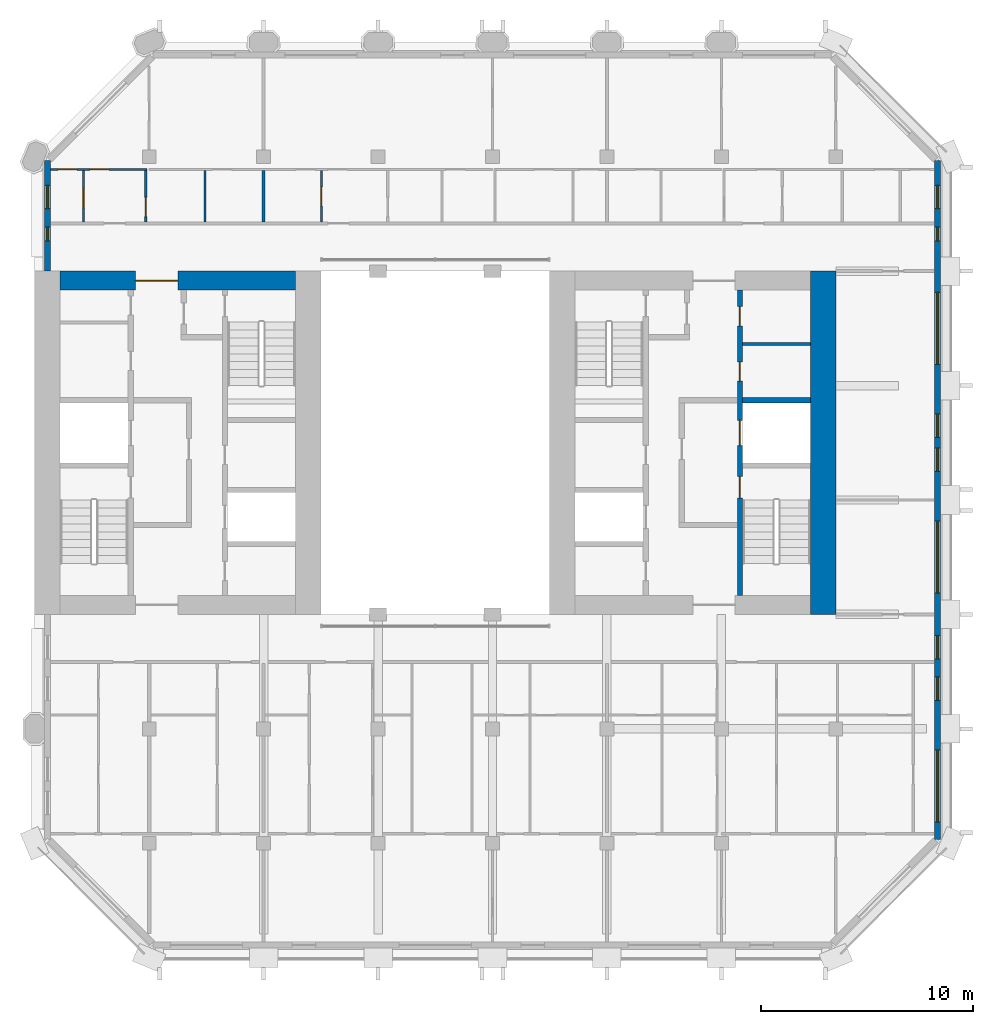
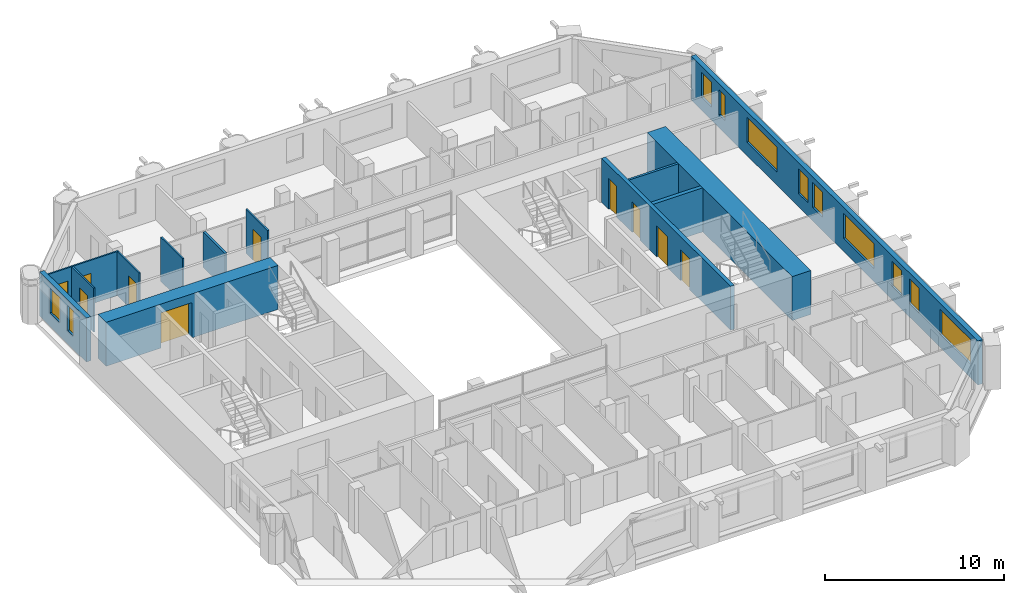
# One storey, part 9 of 14: 13 walls, 11 windows, 10 doors, 21 openings.
"""IFC4 building model written with IfcOpenShell, lengths in metres."""

from ifc_helpers import new_model, si_unit, direction, frame, frame_2d, origin, place, context, subcontext, project, spatial, rectangle, extrude, material, layer, layer_set, type_object, element, fill, save


model = new_model("IFC4")

# Units and contexts
model_context = context("Model", 3, precision=1e-05, world=origin(), true_north=direction((0.0, 1.0)))
body_context = subcontext(model_context, "Body", "Model", "MODEL_VIEW")
ifc_project = project(units=[si_unit("LENGTHUNIT", "METRE"), si_unit("AREAUNIT", "SQUARE_METRE"), si_unit("VOLUMEUNIT", "CUBIC_METRE"), si_unit("PLANEANGLEUNIT", "RADIAN"), si_unit("MASSUNIT", "GRAM", prefix="KILO")], contexts=[model_context])

# Site, building, storey
site_placement = place(None, origin())
site = spatial("IfcSite", under=ifc_project, at=site_placement, CompositionType="ELEMENT")
building_placement = place(site_placement, origin())
building = spatial("IfcBuilding", under=site, at=building_placement, Name="Tabaq Tower and Sports Hall", CompositionType="ELEMENT")
storey_placement = place(building_placement, frame((0.0, 0.0, 285.10009765625)))
storey = spatial("IfcBuildingStorey", under=building, at=storey_placement, Name="L70", CompositionType="ELEMENT", Elevation=285.10009765625)

# Walls
ifc_material_1 = material(Name="Blockwork", Category="masonry")
ifc_layer_1 = layer(ifc_material_1, 0.14990234375)
ifc_layer_set_1 = layer_set([ifc_layer_1], Name="Core room partition 150 Blockwork")
wall_type_1 = type_object("IfcWallType", Name="Core room partition 150 Blockwork", PredefinedType="PARTITIONING", material=ifc_layer_set_1)
wall_1_placement = place(storey_placement, frame((38.800048828125, 28.962890625, 0.0), z_axis=(0.0, 0.0, 1.0), x_axis=(1.0, 0.0, 0.0)))
element("IfcWall", 1, at=wall_1_placement, inside=storey, type_object=wall_type_1, Name="Core room partition E L70", PredefinedType="PARTITIONING", context=body_context, shape_type="SweptSolid", body=[
    extrude(rectangle(XDim=3.199951171875, YDim=0.14990234375, at=frame_2d((1.60009765625, 0.0))), origin(), (0.0, 0.0, 1.0), 3.0),
])
ifc_material_2 = material(Name="Concrete C40/50", Category="concrete")
ifc_layer_2 = layer(ifc_material_2, 1.199951171875)
ifc_layer_set_2 = layer_set([ifc_layer_2], Name="Core wall 1200 Concrete C40/50")
wall_type_2 = type_object("IfcWallType", Name="Core wall 1200 Concrete C40/50", PredefinedType="SOLIDWALL", material=ifc_layer_set_2)
wall_2_placement = place(storey_placement, frame((42.60009765625, 32.39990234375, 0.0), z_axis=(0.0, 0.0, 1.0), x_axis=(0.0, -1.0, 0.0)))
element("IfcWall", 2, at=wall_2_placement, inside=storey, type_object=wall_type_2, Name="Core wall E L70", PredefinedType="SOLIDWALL", context=body_context, shape_type="SweptSolid", body=[
    extrude(rectangle(XDim=16.199951171875, YDim=1.199951171875, at=frame_2d((8.10009765625, 0.0))), origin(), (0.0, 0.0, 1.0), 3.0),
])

# Wall, opening, door
ifc_material_3 = material(Name="Concrete C40/50", Category="concrete")
ifc_layer_3 = layer(ifc_material_3, 0.89990234375)
ifc_layer_set_3 = layer_set([ifc_layer_3], Name="Core wall 900 Concrete C40/50")
wall_type_3 = type_object("IfcWallType", Name="Core wall 900 Concrete C40/50", PredefinedType="SOLIDWALL", material=ifc_layer_set_3)
wall_3_placement = place(storey_placement, frame((6.60009765625, 31.949951171875, 0.0), z_axis=(0.0, 0.0, 1.0), x_axis=(1.0, 0.0, 0.0)))
wall_3 = element("IfcWall", 3, at=wall_3_placement, inside=storey, type_object=wall_type_3, Name="Core wall W L70", PredefinedType="SOLIDWALL", context=body_context, shape_type="SweptSolid", body=[
    extrude(rectangle(XDim=11.099853515625, YDim=0.89990234375, at=frame_2d((5.5498046875, 0.0))), origin(), (0.0, 0.0, 1.0), 3.0),
])
opening_1_placement = place(wall_3_placement, frame((3.550048828125, 0.0, 0.0)))
opening_1 = element("IfcOpeningElement", 4, at=opening_1_placement, cuts=wall_3, Name="Opening PD-WL70-02", PredefinedType="OPENING", context=body_context, shape_type="SweptSolid", body=[
    extrude(rectangle(XDim=2.0, YDim=2.39990234375, at=frame_2d((1.0, 1.199951171875))), frame((0.0, 0.449951171875, 0.0), z_axis=(0.0, -1.0, 0.0), x_axis=(1.0, 0.0, 0.0)), (0.0, 0.0, 1.0), 0.89990234375),
])
ifc_material_4 = material(Name="Steel fire door", Category="steel")
door_type_1 = type_object("IfcDoorType", Name="Core entrance door 2000", OperationType="DOUBLE_DOOR_SINGLE_SWING", PredefinedType="DOOR", material=ifc_material_4)
door_1_placement = place(opening_1_placement, origin())
door_1 = element("IfcDoor", 5, at=door_1_placement, inside=storey, type_object=door_type_1, Name="Core entrance north W L70", OperationType="DOUBLE_DOOR_SINGLE_SWING", OverallHeight=2.39990234375, OverallWidth=2.0, PredefinedType="DOOR", context=body_context, shape_type="SweptSolid", body=[
    extrude(rectangle(XDim=2.0, YDim=2.39990234375, at=frame_2d((1.0, 1.199951171875))), frame((0.0, 0.02490234375, 0.0), z_axis=(0.0, -1.0, 0.0), x_axis=(1.0, 0.0, 0.0)), (0.0, 0.0, 1.0), 0.050048828125),
])
fill(opening_1, door_1)

# Wall, openings, doors
ifc_material_5 = material(Name="Gypsum board on steel studs", Category="steel")
ifc_layer_4 = layer(ifc_material_5, 0.10009765625)
ifc_layer_set_4 = layer_set([ifc_layer_4], Name="Partition 100 Gypsum board")
wall_type_4 = type_object("IfcWallType", Name="Partition 100 Gypsum board", PredefinedType="PARTITIONING", material=ifc_layer_set_4)
wall_4_placement = place(storey_placement, frame((6.15087890625, 37.199951171875, 0.0), z_axis=(0.0, 0.0, 1.0), x_axis=(1.0, 0.0, 0.0)))
wall_4 = element("IfcWall", 6, at=wall_4_placement, inside=storey, type_object=wall_type_4, Name="Partition wall L70", PredefinedType="PARTITIONING", context=body_context, shape_type="SweptSolid", body=[
    extrude(rectangle(XDim=4.5390625, YDim=0.10009765625, at=frame_2d((2.26953125, 0.0))), origin(), (0.0, 0.0, 1.0), 3.0),
])
opening_2_placement = place(wall_4_placement, frame((0.34912109375, 0.0, 0.0)))
opening_2 = element("IfcOpeningElement", 7, at=opening_2_placement, cuts=wall_4, Name="Opening L70-029", PredefinedType="OPENING", context=body_context, shape_type="SweptSolid", body=[
    extrude(rectangle(XDim=0.89990234375, YDim=2.10009765625, at=frame_2d((0.449951171875, 1.050048828125))), frame((0.0, 0.050048828125, 0.0), z_axis=(0.0, -1.0, 0.0), x_axis=(1.0, 0.0, 0.0)), (0.0, 0.0, 1.0), 0.10009765625),
])
opening_3_placement = place(wall_4_placement, frame((1.84912109375, 0.0, 0.0)))
opening_3 = element("IfcOpeningElement", 8, at=opening_3_placement, cuts=wall_4, Name="Opening L70-047", PredefinedType="OPENING", context=body_context, shape_type="SweptSolid", body=[
    extrude(rectangle(XDim=0.89990234375, YDim=2.10009765625, at=frame_2d((0.449951171875, 1.050048828125))), frame((0.0, 0.050048828125, 0.0), z_axis=(0.0, -1.0, 0.0), x_axis=(1.0, 0.0, 0.0)), (0.0, 0.0, 1.0), 0.10009765625),
])
ifc_material_6 = material(Name="Timber leaf in steel frame", Category="steel")
door_type_2 = type_object("IfcDoorType", Name="Internal door 900 left hand", OperationType="SINGLE_SWING_LEFT", PredefinedType="DOOR", material=ifc_material_6)
door_2_placement = place(opening_2_placement, origin())
door_2 = element("IfcDoor", 9, at=door_2_placement, inside=storey, type_object=door_type_2, Name="Internal door L70-029", OperationType="SINGLE_SWING_LEFT", OverallHeight=2.10009765625, OverallWidth=0.89990234375, PredefinedType="DOOR", context=body_context, shape_type="SweptSolid", body=[
    extrude(rectangle(XDim=0.89990234375, YDim=2.10009765625, at=frame_2d((0.449951171875, 1.050048828125))), frame((0.0, 0.02490234375, 0.0), z_axis=(0.0, -1.0, 0.0), x_axis=(1.0, 0.0, 0.0)), (0.0, 0.0, 1.0), 0.050048828125),
])
fill(opening_2, door_2)
ifc_material_7 = material(Name="Timber leaf in steel frame", Category="steel")
door_type_3 = type_object("IfcDoorType", Name="Internal door 900 right hand", OperationType="SINGLE_SWING_RIGHT", PredefinedType="DOOR", material=ifc_material_7)
door_3_placement = place(opening_3_placement, origin())
door_3 = element("IfcDoor", 10, at=door_3_placement, inside=storey, type_object=door_type_3, Name="Internal door L70-047", OperationType="SINGLE_SWING_RIGHT", OverallHeight=2.10009765625, OverallWidth=0.89990234375, PredefinedType="DOOR", context=body_context, shape_type="SweptSolid", body=[
    extrude(rectangle(XDim=0.89990234375, YDim=2.10009765625, at=frame_2d((0.449951171875, 1.050048828125))), frame((0.0, 0.02490234375, 0.0), z_axis=(0.0, -1.0, 0.0), x_axis=(1.0, 0.0, 0.0)), (0.0, 0.0, 1.0), 0.050048828125),
])
fill(opening_3, door_3)

# Wall, opening, door
wall_5_placement = place(storey_placement, frame((7.699951171875, 34.72509765625, 0.0), z_axis=(0.0, 0.0, 1.0), x_axis=(0.0, 1.0, 0.0)))
wall_5 = element("IfcWall", 11, at=wall_5_placement, inside=storey, type_object=wall_type_4, Name="Partition wall L70", PredefinedType="PARTITIONING", context=body_context, shape_type="SweptSolid", body=[
    extrude(rectangle(XDim=2.4248046875, YDim=0.10009765625, at=frame_2d((1.21240234375, 0.0))), origin(), (0.0, 0.0, 1.0), 3.0),
])
opening_4_placement = place(wall_5_placement, frame((0.662109375, 0.0, 0.0)))
opening_4 = element("IfcOpeningElement", 12, at=opening_4_placement, cuts=wall_5, Name="Opening L70-030", PredefinedType="OPENING", context=body_context, shape_type="SweptSolid", body=[
    extrude(rectangle(XDim=0.89990234375, YDim=2.10009765625, at=frame_2d((0.449951171875, 1.050048828125))), frame((0.0, 0.050048828125, 0.0), z_axis=(0.0, -1.0, 0.0), x_axis=(1.0, 0.0, 0.0)), (0.0, 0.0, 1.0), 0.10009765625),
])
door_4_placement = place(opening_4_placement, origin())
door_4 = element("IfcDoor", 13, at=door_4_placement, inside=storey, type_object=door_type_3, Name="Internal door L70-030", OperationType="SINGLE_SWING_RIGHT", OverallHeight=2.10009765625, OverallWidth=0.89990234375, PredefinedType="DOOR", context=body_context, shape_type="SweptSolid", body=[
    extrude(rectangle(XDim=0.89990234375, YDim=2.10009765625, at=frame_2d((0.449951171875, 1.050048828125))), frame((0.0, 0.02490234375, 0.0), z_axis=(0.0, -1.0, 0.0), x_axis=(1.0, 0.0, 0.0)), (0.0, 0.0, 1.0), 0.050048828125),
])
fill(opening_4, door_4)

wall_6_placement = place(storey_placement, frame((10.639892578125, 34.72509765625, 0.0), z_axis=(0.0, 0.0, 1.0), x_axis=(0.0, 1.0, 0.0)))
wall_6 = element("IfcWall", 14, at=wall_6_placement, inside=storey, type_object=wall_type_4, Name="Partition wall L70", PredefinedType="PARTITIONING", context=body_context, shape_type="SweptSolid", body=[
    extrude(rectangle(XDim=2.4248046875, YDim=0.10009765625, at=frame_2d((1.21240234375, 0.0))), origin(), (0.0, 0.0, 1.0), 3.0),
])
opening_5_placement = place(wall_6_placement, frame((0.25, 0.0, 0.0)))
opening_5 = element("IfcOpeningElement", 15, at=opening_5_placement, cuts=wall_6, Name="Opening L70-002", PredefinedType="OPENING", context=body_context, shape_type="SweptSolid", body=[
    extrude(rectangle(XDim=0.89990234375, YDim=2.10009765625, at=frame_2d((0.449951171875, 1.050048828125))), frame((0.0, 0.050048828125, 0.0), z_axis=(0.0, -1.0, 0.0), x_axis=(1.0, 0.0, 0.0)), (0.0, 0.0, 1.0), 0.10009765625),
])
door_5_placement = place(opening_5_placement, origin())
door_5 = element("IfcDoor", 16, at=door_5_placement, inside=storey, type_object=door_type_3, Name="Internal door L70-002", OperationType="SINGLE_SWING_RIGHT", OverallHeight=2.10009765625, OverallWidth=0.89990234375, PredefinedType="DOOR", context=body_context, shape_type="SweptSolid", body=[
    extrude(rectangle(XDim=0.89990234375, YDim=2.10009765625, at=frame_2d((0.449951171875, 1.050048828125))), frame((0.0, 0.02490234375, 0.0), z_axis=(0.0, -1.0, 0.0), x_axis=(1.0, 0.0, 0.0)), (0.0, 0.0, 1.0), 0.050048828125),
])
fill(opening_5, door_5)

# Wall
wall_7_placement = place(storey_placement, frame((13.43994140625, 34.72509765625, 0.0), z_axis=(0.0, 0.0, 1.0), x_axis=(0.0, 1.0, 0.0)))
element("IfcWall", 17, at=wall_7_placement, inside=storey, type_object=wall_type_4, Name="Partition wall L70", PredefinedType="PARTITIONING", context=body_context, shape_type="SweptSolid", body=[
    extrude(rectangle(XDim=2.4248046875, YDim=0.10009765625, at=frame_2d((1.21240234375, 0.0))), origin(), (0.0, 0.0, 1.0), 3.0),
])

# Wall, opening, door
wall_8_placement = place(storey_placement, frame((18.927978515625, 34.72509765625, 0.0), z_axis=(0.0, 0.0, 1.0), x_axis=(0.0, 1.0, 0.0)))
wall_8 = element("IfcWall", 18, at=wall_8_placement, inside=storey, type_object=wall_type_4, Name="Partition wall L70", PredefinedType="PARTITIONING", context=body_context, shape_type="SweptSolid", body=[
    extrude(rectangle(XDim=2.4248046875, YDim=0.10009765625, at=frame_2d((1.21240234375, 0.0))), origin(), (0.0, 0.0, 1.0), 3.0),
])
opening_6_placement = place(wall_8_placement, frame((0.75, 0.0, 0.0)))
opening_6 = element("IfcOpeningElement", 19, at=opening_6_placement, cuts=wall_8, Name="Opening L70-032", PredefinedType="OPENING", context=body_context, shape_type="SweptSolid", body=[
    extrude(rectangle(XDim=0.89990234375, YDim=2.10009765625, at=frame_2d((0.449951171875, 1.050048828125))), frame((0.0, 0.050048828125, 0.0), z_axis=(0.0, -1.0, 0.0), x_axis=(1.0, 0.0, 0.0)), (0.0, 0.0, 1.0), 0.10009765625),
])
door_6_placement = place(opening_6_placement, origin())
door_6 = element("IfcDoor", 20, at=door_6_placement, inside=storey, type_object=door_type_2, Name="Internal door L70-032", OperationType="SINGLE_SWING_LEFT", OverallHeight=2.10009765625, OverallWidth=0.89990234375, PredefinedType="DOOR", context=body_context, shape_type="SweptSolid", body=[
    extrude(rectangle(XDim=0.89990234375, YDim=2.10009765625, at=frame_2d((0.449951171875, 1.050048828125))), frame((0.0, 0.02490234375, 0.0), z_axis=(0.0, -1.0, 0.0), x_axis=(1.0, 0.0, 0.0)), (0.0, 0.0, 1.0), 0.050048828125),
])
fill(opening_6, door_6)

# Wall
ifc_material_8 = material(Name="Blockwork", Category="masonry")
ifc_layer_5 = layer(ifc_material_8, 0.14990234375)
ifc_layer_set_5 = layer_set([ifc_layer_5], Name="Separating wall 150 Blockwork")
wall_type_5 = type_object("IfcWallType", Name="Separating wall 150 Blockwork", PredefinedType="PARTITIONING", material=ifc_layer_set_5)
wall_9_placement = place(storey_placement, frame((16.199951171875, 34.72509765625, 0.0), z_axis=(0.0, 0.0, 1.0), x_axis=(0.0, 1.0, 0.0)))
element("IfcWall", 21, at=wall_9_placement, inside=storey, type_object=wall_type_5, Name="Separating wall L70", PredefinedType="PARTITIONING", context=body_context, shape_type="SweptSolid", body=[
    extrude(rectangle(XDim=2.4248046875, YDim=0.14990234375, at=frame_2d((1.21240234375, 0.0))), origin(), (0.0, 0.0, 1.0), 2.39990234375),
])

# Wall, openings, doors
ifc_material_9 = material(Name="Concrete C40/50", Category="concrete")
ifc_layer_6 = layer(ifc_material_9, 0.25)
ifc_layer_set_6 = layer_set([ifc_layer_6], Name="Shaft and stair wall 250 Concrete C40/50")
wall_type_6 = type_object("IfcWallType", Name="Shaft and stair wall 250 Concrete C40/50", PredefinedType="SOLIDWALL", material=ifc_layer_set_6)
wall_10_placement = place(storey_placement, frame((38.675048828125, 17.10009765625, 0.0), z_axis=(0.0, 0.0, 1.0), x_axis=(0.0, 1.0, 0.0)))
wall_10 = element("IfcWall", 22, at=wall_10_placement, inside=storey, type_object=wall_type_6, Name="Shaft wall E L70", PredefinedType="SOLIDWALL", context=body_context, shape_type="SweptSolid", body=[
    extrude(rectangle(XDim=14.39990234375, YDim=0.25, at=frame_2d((7.199951171875, 0.0))), origin(), (0.0, 0.0, 1.0), 3.0),
])
opening_7_placement = place(wall_10_placement, frame((4.60009765625, 0.0, 0.0)))
opening_7 = element("IfcOpeningElement", 23, at=opening_7_placement, cuts=wall_10, Name="Opening SD-EL70-03", PredefinedType="OPENING", context=body_context, shape_type="SweptSolid", body=[
    extrude(rectangle(XDim=1.0, YDim=2.10009765625, at=frame_2d((0.5, 1.050048828125))), frame((0.0, 0.125, 0.0), z_axis=(0.0, -1.0, 0.0), x_axis=(1.0, 0.0, 0.0)), (0.0, 0.0, 1.0), 0.25),
])
opening_8_placement = place(wall_10_placement, frame((7.0625, 0.0, 0.0)))
opening_8 = element("IfcOpeningElement", 24, at=opening_8_placement, cuts=wall_10, Name="Opening LD-FF2-L70", PredefinedType="OPENING", context=body_context, shape_type="SweptSolid", body=[
    extrude(rectangle(XDim=1.199951171875, YDim=2.10009765625, at=frame_2d((0.60009765625, 1.050048828125))), frame((0.0, 0.125, 0.0), z_axis=(0.0, -1.0, 0.0), x_axis=(1.0, 0.0, 0.0)), (0.0, 0.0, 1.0), 0.25),
])
opening_9_placement = place(wall_10_placement, frame((10.1064453125, 0.0, 0.0)))
opening_9 = element("IfcOpeningElement", 25, at=opening_9_placement, cuts=wall_10, Name="Opening RD-EL70-09", PredefinedType="OPENING", context=body_context, shape_type="SweptSolid", body=[
    extrude(rectangle(XDim=0.89990234375, YDim=2.10009765625, at=frame_2d((0.449951171875, 1.050048828125))), frame((0.0, 0.125, 0.0), z_axis=(0.0, -1.0, 0.0), x_axis=(1.0, 0.0, 0.0)), (0.0, 0.0, 1.0), 0.25),
])
opening_10_placement = place(wall_10_placement, frame((12.718994140625, 0.0, 0.0)))
opening_10 = element("IfcOpeningElement", 26, at=opening_10_placement, cuts=wall_10, Name="Opening RD-EL70-10", PredefinedType="OPENING", context=body_context, shape_type="SweptSolid", body=[
    extrude(rectangle(XDim=0.89990234375, YDim=2.10009765625, at=frame_2d((0.449951171875, 1.050048828125))), frame((0.0, 0.125, 0.0), z_axis=(0.0, -1.0, 0.0), x_axis=(1.0, 0.0, 0.0)), (0.0, 0.0, 1.0), 0.25),
])
ifc_material_10 = material(Name="Steel fire door", Category="steel")
door_type_4 = type_object("IfcDoorType", Name="Core room door 900", OperationType="SINGLE_SWING_LEFT", PredefinedType="DOOR", material=ifc_material_10)
door_7_placement = place(opening_9_placement, origin())
door_7 = element("IfcDoor", 27, at=door_7_placement, inside=storey, type_object=door_type_4, Name="Door Electrical Room E L70", OperationType="SINGLE_SWING_LEFT", OverallHeight=2.10009765625, OverallWidth=0.89990234375, PredefinedType="DOOR", context=body_context, shape_type="SweptSolid", body=[
    extrude(rectangle(XDim=0.89990234375, YDim=2.10009765625, at=frame_2d((0.449951171875, 1.050048828125))), frame((0.0, 0.02490234375, 0.0), z_axis=(0.0, -1.0, 0.0), x_axis=(1.0, 0.0, 0.0)), (0.0, 0.0, 1.0), 0.050048828125),
])
fill(opening_9, door_7)
door_8_placement = place(opening_10_placement, origin())
door_8 = element("IfcDoor", 28, at=door_8_placement, inside=storey, type_object=door_type_4, Name="Door Comms Room E L70", OperationType="SINGLE_SWING_LEFT", OverallHeight=2.10009765625, OverallWidth=0.89990234375, PredefinedType="DOOR", context=body_context, shape_type="SweptSolid", body=[
    extrude(rectangle(XDim=0.89990234375, YDim=2.10009765625, at=frame_2d((0.449951171875, 1.050048828125))), frame((0.0, 0.02490234375, 0.0), z_axis=(0.0, -1.0, 0.0), x_axis=(1.0, 0.0, 0.0)), (0.0, 0.0, 1.0), 0.050048828125),
])
fill(opening_10, door_8)
ifc_material_11 = material(Name="Stainless steel", Category="steel")
door_type_5 = type_object("IfcDoorType", Name="Lift landing door 1200", OperationType="DOUBLE_DOOR_SLIDING", PredefinedType="DOOR", material=ifc_material_11)
door_9_placement = place(opening_8_placement, origin())
door_9 = element("IfcDoor", 29, at=door_9_placement, inside=storey, type_object=door_type_5, Name="Lift landing door FF2 E L70", OperationType="DOUBLE_DOOR_SLIDING", OverallHeight=2.10009765625, OverallWidth=1.199951171875, PredefinedType="DOOR", context=body_context, shape_type="SweptSolid", body=[
    extrude(rectangle(XDim=1.199951171875, YDim=2.10009765625, at=frame_2d((0.60009765625, 1.050048828125))), frame((0.0, 0.02490234375, 0.0), z_axis=(0.0, -1.0, 0.0), x_axis=(1.0, 0.0, 0.0)), (0.0, 0.0, 1.0), 0.050048828125),
])
fill(opening_8, door_9)
ifc_material_12 = material(Name="Steel fire door", Category="steel")
door_type_6 = type_object("IfcDoorType", Name="Stair door 1000", OperationType="SINGLE_SWING_LEFT", PredefinedType="DOOR", material=ifc_material_12)
door_10_placement = place(opening_7_placement, origin())
door_10 = element("IfcDoor", 30, at=door_10_placement, inside=storey, type_object=door_type_6, Name="Stair door ST3 E L70", OperationType="SINGLE_SWING_LEFT", OverallHeight=2.10009765625, OverallWidth=1.0, PredefinedType="DOOR", context=body_context, shape_type="SweptSolid", body=[
    extrude(rectangle(XDim=1.0, YDim=2.10009765625, at=frame_2d((0.5, 1.050048828125))), frame((0.0, 0.02490234375, 0.0), z_axis=(0.0, -1.0, 0.0), x_axis=(1.0, 0.0, 0.0)), (0.0, 0.0, 1.0), 0.050048828125),
])
fill(opening_7, door_10)

# Wall
wall_11_placement = place(storey_placement, frame((38.800048828125, 26.300048828125, 0.0), z_axis=(0.0, 0.0, 1.0), x_axis=(1.0, 0.0, 0.0)))
element("IfcWall", 31, at=wall_11_placement, inside=storey, type_object=wall_type_6, Name="Shaft wall E L70", PredefinedType="SOLIDWALL", context=body_context, shape_type="SweptSolid", body=[
    extrude(rectangle(XDim=3.199951171875, YDim=0.25, at=frame_2d((1.60009765625, 0.0))), origin(), (0.0, 0.0, 1.0), 3.0),
])

# Wall, openings, windows
ifc_material_13 = material(Name="White precast concrete C60/75", Category="concrete")
ifc_layer_7 = layer(ifc_material_13, 0.300048828125)
ifc_layer_set_7 = layer_set([ifc_layer_7], Name="White precast concrete C60/75 external wall 300")
wall_type_7 = type_object("IfcWallType", Name="White precast concrete C60/75 external wall 300", PredefinedType="SOLIDWALL", material=ifc_layer_set_7)
wall_12_placement = place(storey_placement, frame((48.0, 5.58642578125, 0.0), z_axis=(0.0, 0.0, 1.0), x_axis=(0.0, 1.0, 0.0)))
wall_12 = element("IfcWall", 32, at=wall_12_placement, inside=storey, type_object=wall_type_7, Name="External Wall L70 E", PredefinedType="SOLIDWALL", context=body_context, shape_type="SweptSolid", body=[
    extrude(rectangle(XDim=32.027099609375, YDim=0.300048828125, at=frame_2d((16.013671875, 0.0))), origin(), (0.0, 0.0, 1.0), 3.0),
])
opening_11_placement = place(wall_12_placement, frame((0.813720703125, 0.0, 0.89990234375)))
opening_11 = element("IfcOpeningElement", 33, at=opening_11_placement, cuts=wall_12, Name="Opening W1A", PredefinedType="OPENING", context=body_context, shape_type="SweptSolid", body=[
    extrude(rectangle(XDim=3.39990234375, YDim=1.699951171875, at=frame_2d((1.699951171875, 0.85009765625))), frame((0.0, 0.16015625, 0.0), z_axis=(0.0, -1.0, 0.0), x_axis=(1.0, 0.0, 0.0)), (0.0, 0.0, 1.0), 0.320068359375),
])
opening_12_placement = place(wall_12_placement, frame((6.563720703125, 0.0, 0.89990234375)))
opening_12 = element("IfcOpeningElement", 34, at=opening_12_placement, cuts=wall_12, Name="Opening W1B", PredefinedType="OPENING", context=body_context, shape_type="SweptSolid", body=[
    extrude(rectangle(XDim=1.10009765625, YDim=1.699951171875, at=frame_2d((0.550048828125, 0.85009765625))), frame((0.0, 0.16015625, 0.0), z_axis=(0.0, -1.0, 0.0), x_axis=(1.0, 0.0, 0.0)), (0.0, 0.0, 1.0), 0.320068359375),
])
opening_13_placement = place(wall_12_placement, frame((8.513671875, 0.0, 0.89990234375)))
opening_13 = element("IfcOpeningElement", 35, at=opening_13_placement, cuts=wall_12, Name="Opening W1B", PredefinedType="OPENING", context=body_context, shape_type="SweptSolid", body=[
    extrude(rectangle(XDim=1.10009765625, YDim=1.699951171875, at=frame_2d((0.550048828125, 0.85009765625))), frame((0.0, 0.16015625, 0.0), z_axis=(0.0, -1.0, 0.0), x_axis=(1.0, 0.0, 0.0)), (0.0, 0.0, 1.0), 0.320068359375),
])
opening_14_placement = place(wall_12_placement, frame((11.613525390625, 0.0, 0.89990234375)))
opening_14 = element("IfcOpeningElement", 36, at=opening_14_placement, cuts=wall_12, Name="Opening W1A", PredefinedType="OPENING", context=body_context, shape_type="SweptSolid", body=[
    extrude(rectangle(XDim=3.39990234375, YDim=1.699951171875, at=frame_2d((1.699951171875, 0.85009765625))), frame((0.0, 0.16015625, 0.0), z_axis=(0.0, -1.0, 0.0), x_axis=(1.0, 0.0, 0.0)), (0.0, 0.0, 1.0), 0.320068359375),
])
opening_15_placement = place(wall_12_placement, frame((17.363525390625, 0.0, 0.89990234375)))
opening_15 = element("IfcOpeningElement", 37, at=opening_15_placement, cuts=wall_12, Name="Opening W1B", PredefinedType="OPENING", context=body_context, shape_type="SweptSolid", body=[
    extrude(rectangle(XDim=1.10009765625, YDim=1.699951171875, at=frame_2d((0.550048828125, 0.85009765625))), frame((0.0, 0.16015625, 0.0), z_axis=(0.0, -1.0, 0.0), x_axis=(1.0, 0.0, 0.0)), (0.0, 0.0, 1.0), 0.320068359375),
])
opening_16_placement = place(wall_12_placement, frame((18.963623046875, 0.0, 0.89990234375)))
opening_16 = element("IfcOpeningElement", 38, at=opening_16_placement, cuts=wall_12, Name="Opening W1B", PredefinedType="OPENING", context=body_context, shape_type="SweptSolid", body=[
    extrude(rectangle(XDim=1.10009765625, YDim=1.699951171875, at=frame_2d((0.550048828125, 0.85009765625))), frame((0.0, 0.16015625, 0.0), z_axis=(0.0, -1.0, 0.0), x_axis=(1.0, 0.0, 0.0)), (0.0, 0.0, 1.0), 0.320068359375),
])
opening_17_placement = place(wall_12_placement, frame((22.41357421875, 0.0, 0.89990234375)))
opening_17 = element("IfcOpeningElement", 39, at=opening_17_placement, cuts=wall_12, Name="Opening W1A", PredefinedType="OPENING", context=body_context, shape_type="SweptSolid", body=[
    extrude(rectangle(XDim=3.39990234375, YDim=1.699951171875, at=frame_2d((1.699951171875, 0.85009765625))), frame((0.0, 0.16015625, 0.0), z_axis=(0.0, -1.0, 0.0), x_axis=(1.0, 0.0, 0.0)), (0.0, 0.0, 1.0), 0.320068359375),
])
opening_18_placement = place(wall_12_placement, frame((28.238525390625, 0.0, 0.89990234375)))
opening_18 = element("IfcOpeningElement", 40, at=opening_18_placement, cuts=wall_12, Name="Opening W1C", PredefinedType="OPENING", context=body_context, shape_type="SweptSolid", body=[
    extrude(rectangle(XDim=0.64990234375, YDim=1.699951171875, at=frame_2d((0.324951171875, 0.85009765625))), frame((0.0, 0.16015625, 0.0), z_axis=(0.0, -1.0, 0.0), x_axis=(1.0, 0.0, 0.0)), (0.0, 0.0, 1.0), 0.320068359375),
])
opening_19_placement = place(wall_12_placement, frame((29.763671875, 0.0, 0.89990234375)))
opening_19 = element("IfcOpeningElement", 41, at=opening_19_placement, cuts=wall_12, Name="Opening W1B", PredefinedType="OPENING", context=body_context, shape_type="SweptSolid", body=[
    extrude(rectangle(XDim=1.10009765625, YDim=1.699951171875, at=frame_2d((0.550048828125, 0.85009765625))), frame((0.0, 0.16015625, 0.0), z_axis=(0.0, -1.0, 0.0), x_axis=(1.0, 0.0, 0.0)), (0.0, 0.0, 1.0), 0.320068359375),
])
ifc_material_14 = material(Name="Aluminium framed clear glazing", Category="aluminium")
window_type_1 = type_object("IfcWindowType", Name="Window W1A", PartitioningType="SINGLE_PANEL", PredefinedType="WINDOW", material=ifc_material_14)
window_1_placement = place(opening_11_placement, origin())
window_1 = element("IfcWindow", 42, at=window_1_placement, inside=storey, type_object=window_type_1, Name="Window W1A L70", OverallHeight=1.699951171875, OverallWidth=3.39990234375, PartitioningType="SINGLE_PANEL", PredefinedType="WINDOW", context=body_context, shape_type="SweptSolid", body=[
    extrude(rectangle(XDim=3.39990234375, YDim=1.699951171875, at=frame_2d((1.699951171875, 0.85009765625))), frame((0.0, 0.030029296875, 0.0), z_axis=(0.0, -1.0, 0.0), x_axis=(1.0, 0.0, 0.0)), (0.0, 0.0, 1.0), 0.06005859375),
])
fill(opening_11, window_1)
window_2_placement = place(opening_14_placement, origin())
window_2 = element("IfcWindow", 43, at=window_2_placement, inside=storey, type_object=window_type_1, Name="Window W1A L70", OverallHeight=1.699951171875, OverallWidth=3.39990234375, PartitioningType="SINGLE_PANEL", PredefinedType="WINDOW", context=body_context, shape_type="SweptSolid", body=[
    extrude(rectangle(XDim=3.39990234375, YDim=1.699951171875, at=frame_2d((1.699951171875, 0.85009765625))), frame((0.0, 0.030029296875, 0.0), z_axis=(0.0, -1.0, 0.0), x_axis=(1.0, 0.0, 0.0)), (0.0, 0.0, 1.0), 0.06005859375),
])
fill(opening_14, window_2)
window_3_placement = place(opening_17_placement, origin())
window_3 = element("IfcWindow", 44, at=window_3_placement, inside=storey, type_object=window_type_1, Name="Window W1A L70", OverallHeight=1.699951171875, OverallWidth=3.39990234375, PartitioningType="SINGLE_PANEL", PredefinedType="WINDOW", context=body_context, shape_type="SweptSolid", body=[
    extrude(rectangle(XDim=3.39990234375, YDim=1.699951171875, at=frame_2d((1.699951171875, 0.85009765625))), frame((0.0, 0.030029296875, 0.0), z_axis=(0.0, -1.0, 0.0), x_axis=(1.0, 0.0, 0.0)), (0.0, 0.0, 1.0), 0.06005859375),
])
fill(opening_17, window_3)
ifc_material_15 = material(Name="Aluminium framed clear glazing", Category="aluminium")
window_type_2 = type_object("IfcWindowType", Name="Window W1B", PartitioningType="SINGLE_PANEL", PredefinedType="WINDOW", material=ifc_material_15)
window_4_placement = place(opening_12_placement, origin())
window_4 = element("IfcWindow", 45, at=window_4_placement, inside=storey, type_object=window_type_2, Name="Window W1B L70", OverallHeight=1.699951171875, OverallWidth=1.10009765625, PartitioningType="SINGLE_PANEL", PredefinedType="WINDOW", context=body_context, shape_type="SweptSolid", body=[
    extrude(rectangle(XDim=1.10009765625, YDim=1.699951171875, at=frame_2d((0.550048828125, 0.85009765625))), frame((0.0, 0.030029296875, 0.0), z_axis=(0.0, -1.0, 0.0), x_axis=(1.0, 0.0, 0.0)), (0.0, 0.0, 1.0), 0.06005859375),
])
fill(opening_12, window_4)
window_5_placement = place(opening_13_placement, origin())
window_5 = element("IfcWindow", 46, at=window_5_placement, inside=storey, type_object=window_type_2, Name="Window W1B L70", OverallHeight=1.699951171875, OverallWidth=1.10009765625, PartitioningType="SINGLE_PANEL", PredefinedType="WINDOW", context=body_context, shape_type="SweptSolid", body=[
    extrude(rectangle(XDim=1.10009765625, YDim=1.699951171875, at=frame_2d((0.550048828125, 0.85009765625))), frame((0.0, 0.030029296875, 0.0), z_axis=(0.0, -1.0, 0.0), x_axis=(1.0, 0.0, 0.0)), (0.0, 0.0, 1.0), 0.06005859375),
])
fill(opening_13, window_5)
window_6_placement = place(opening_15_placement, origin())
window_6 = element("IfcWindow", 47, at=window_6_placement, inside=storey, type_object=window_type_2, Name="Window W1B L70", OverallHeight=1.699951171875, OverallWidth=1.10009765625, PartitioningType="SINGLE_PANEL", PredefinedType="WINDOW", context=body_context, shape_type="SweptSolid", body=[
    extrude(rectangle(XDim=1.10009765625, YDim=1.699951171875, at=frame_2d((0.550048828125, 0.85009765625))), frame((0.0, 0.030029296875, 0.0), z_axis=(0.0, -1.0, 0.0), x_axis=(1.0, 0.0, 0.0)), (0.0, 0.0, 1.0), 0.06005859375),
])
fill(opening_15, window_6)
window_7_placement = place(opening_16_placement, origin())
window_7 = element("IfcWindow", 48, at=window_7_placement, inside=storey, type_object=window_type_2, Name="Window W1B L70", OverallHeight=1.699951171875, OverallWidth=1.10009765625, PartitioningType="SINGLE_PANEL", PredefinedType="WINDOW", context=body_context, shape_type="SweptSolid", body=[
    extrude(rectangle(XDim=1.10009765625, YDim=1.699951171875, at=frame_2d((0.550048828125, 0.85009765625))), frame((0.0, 0.030029296875, 0.0), z_axis=(0.0, -1.0, 0.0), x_axis=(1.0, 0.0, 0.0)), (0.0, 0.0, 1.0), 0.06005859375),
])
fill(opening_16, window_7)
window_8_placement = place(opening_19_placement, origin())
window_8 = element("IfcWindow", 49, at=window_8_placement, inside=storey, type_object=window_type_2, Name="Window W1B L70", OverallHeight=1.699951171875, OverallWidth=1.10009765625, PartitioningType="SINGLE_PANEL", PredefinedType="WINDOW", context=body_context, shape_type="SweptSolid", body=[
    extrude(rectangle(XDim=1.10009765625, YDim=1.699951171875, at=frame_2d((0.550048828125, 0.85009765625))), frame((0.0, 0.030029296875, 0.0), z_axis=(0.0, -1.0, 0.0), x_axis=(1.0, 0.0, 0.0)), (0.0, 0.0, 1.0), 0.06005859375),
])
fill(opening_19, window_8)
ifc_material_16 = material(Name="Aluminium framed clear glazing", Category="aluminium")
window_type_3 = type_object("IfcWindowType", Name="Window W1C", PartitioningType="SINGLE_PANEL", PredefinedType="WINDOW", material=ifc_material_16)
window_9_placement = place(opening_18_placement, origin())
window_9 = element("IfcWindow", 50, at=window_9_placement, inside=storey, type_object=window_type_3, Name="Window W1C L70", OverallHeight=1.699951171875, OverallWidth=0.64990234375, PartitioningType="SINGLE_PANEL", PredefinedType="WINDOW", context=body_context, shape_type="SweptSolid", body=[
    extrude(rectangle(XDim=0.64990234375, YDim=1.699951171875, at=frame_2d((0.324951171875, 0.85009765625))), frame((0.0, 0.030029296875, 0.0), z_axis=(0.0, -1.0, 0.0), x_axis=(1.0, 0.0, 0.0)), (0.0, 0.0, 1.0), 0.06005859375),
])
fill(opening_18, window_9)

wall_13_placement = place(storey_placement, frame((6.0, 37.613525390625, 0.0), z_axis=(0.0, 0.0, 1.0), x_axis=(0.0, -1.0, 0.0)))
wall_13 = element("IfcWall", 51, at=wall_13_placement, inside=storey, type_object=wall_type_7, Name="External Wall L70 W", PredefinedType="SOLIDWALL", context=body_context, shape_type="SweptSolid", body=[
    extrude(rectangle(XDim=5.213623046875, YDim=0.300048828125, at=frame_2d((2.60693359375, 0.0))), origin(), (0.0, 0.0, 1.0), 3.0),
])
opening_20_placement = place(wall_13_placement, frame((1.16357421875, 0.0, 0.89990234375)))
opening_20 = element("IfcOpeningElement", 52, at=opening_20_placement, cuts=wall_13, Name="Opening W1B", PredefinedType="OPENING", context=body_context, shape_type="SweptSolid", body=[
    extrude(rectangle(XDim=1.10009765625, YDim=1.699951171875, at=frame_2d((0.550048828125, 0.85009765625))), frame((0.0, 0.16015625, 0.0), z_axis=(0.0, -1.0, 0.0), x_axis=(1.0, 0.0, 0.0)), (0.0, 0.0, 1.0), 0.320068359375),
])
opening_21_placement = place(wall_13_placement, frame((3.138671875, 0.0, 0.89990234375)))
opening_21 = element("IfcOpeningElement", 53, at=opening_21_placement, cuts=wall_13, Name="Opening W1C", PredefinedType="OPENING", context=body_context, shape_type="SweptSolid", body=[
    extrude(rectangle(XDim=0.64990234375, YDim=1.699951171875, at=frame_2d((0.324951171875, 0.85009765625))), frame((0.0, 0.16015625, 0.0), z_axis=(0.0, -1.0, 0.0), x_axis=(1.0, 0.0, 0.0)), (0.0, 0.0, 1.0), 0.320068359375),
])
window_10_placement = place(opening_20_placement, origin())
window_10 = element("IfcWindow", 54, at=window_10_placement, inside=storey, type_object=window_type_2, Name="Window W1B L70", OverallHeight=1.699951171875, OverallWidth=1.10009765625, PartitioningType="SINGLE_PANEL", PredefinedType="WINDOW", context=body_context, shape_type="SweptSolid", body=[
    extrude(rectangle(XDim=1.10009765625, YDim=1.699951171875, at=frame_2d((0.550048828125, 0.85009765625))), frame((0.0, 0.030029296875, 0.0), z_axis=(0.0, -1.0, 0.0), x_axis=(1.0, 0.0, 0.0)), (0.0, 0.0, 1.0), 0.06005859375),
])
fill(opening_20, window_10)
window_11_placement = place(opening_21_placement, origin())
window_11 = element("IfcWindow", 55, at=window_11_placement, inside=storey, type_object=window_type_3, Name="Window W1C L70", OverallHeight=1.699951171875, OverallWidth=0.64990234375, PartitioningType="SINGLE_PANEL", PredefinedType="WINDOW", context=body_context, shape_type="SweptSolid", body=[
    extrude(rectangle(XDim=0.64990234375, YDim=1.699951171875, at=frame_2d((0.324951171875, 0.85009765625))), frame((0.0, 0.030029296875, 0.0), z_axis=(0.0, -1.0, 0.0), x_axis=(1.0, 0.0, 0.0)), (0.0, 0.0, 1.0), 0.06005859375),
])
fill(opening_21, window_11)

save(model, "model.ifc")
